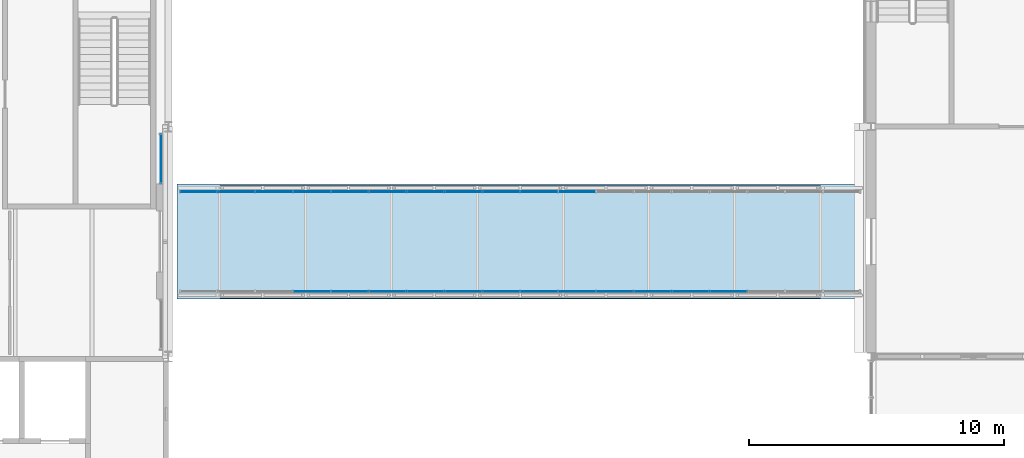
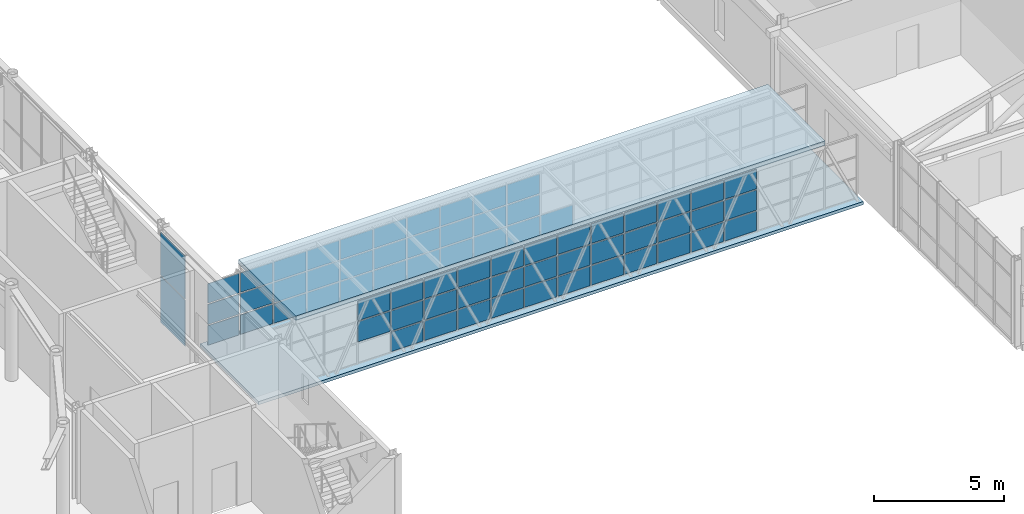
# One storey, part 83 of 149: 68 plates, 2 slabs, 3 elements without a shape of their own.
"""IFC4 building model written with IfcOpenShell, lengths in metres."""

import ifcopenshell
import ifcopenshell.guid

model = None  # the IFC model being written
_history = None  # IfcOwnerHistory: only IFC2X3 demands one
_inside = {}  # id of a spatial element -> (the spatial element, [elements in it])
_under = {}  # id of a project, library or spatial element -> (it, [spatial elements below it])
_declared = {}  # id of a project -> (the project, [libraries it declares])
_typed = {}  # id of a type object -> (the type object, [elements of that type])
_made_of = {}  # id of a material, layer set ... -> (it, [elements and type objects made of it])


def new_model(schema):
    """Start an empty IFC model of exactly this schema.

    Asked for "IFC4X3", IfcOpenShell would pick the latest addendum, in which some entities
    have other attributes; the version numbers below select the first issue.
    IFC2X3 requires an IfcOwnerHistory on every rooted entity: one is made here for all.
    """
    global model, _history
    if schema == "IFC4X3":
        model = ifcopenshell.file(schema_version=(4, 3, 0, 0))
    else:
        model = ifcopenshell.file(schema=schema)
    _inside.clear()
    _under.clear()
    _declared.clear()
    _typed.clear()
    _made_of.clear()
    _history = None
    if model.schema == "IFC2X3":
        org = make("IfcOrganization", Name="unknown")
        user = make(
            "IfcPersonAndOrganization",
            ThePerson=make("IfcPerson", FamilyName="unknown"),
            TheOrganization=org,
        )
        app = make(
            "IfcApplication",
            ApplicationDeveloper=org,
            Version="unknown",
            ApplicationFullName="unknown",
            ApplicationIdentifier="unknown",
        )
        _history = make(
            "IfcOwnerHistory",
            OwningUser=user,
            OwningApplication=app,
            ChangeAction="ADDED",
            CreationDate=0,
        )
    return model


def make(cls, **values):
    """One entity of the class cls with the attributes given. An attribute that is None is left unset."""
    return model.create_entity(
        cls, **{name: value for name, value in values.items() if value is not None}
    )


def rooted(cls, **values):
    """An entity with a GlobalId (a new one), such as an element, a storey or a relation."""
    return make(cls, GlobalId=ifcopenshell.guid.new(), OwnerHistory=_history, **values)


def si_unit(unit_type, name, prefix=None):
    """IfcSIUnit, for example si_unit("LENGTHUNIT", "METRE", prefix="MILLI")."""
    return make("IfcSIUnit", UnitType=unit_type, Prefix=prefix, Name=name)


def assignment(units):
    """IfcUnitAssignment: the units of a project."""
    return None if units is None else make("IfcUnitAssignment", Units=units)


def point(xyz):
    """IfcCartesianPoint."""
    return None if xyz is None else make("IfcCartesianPoint", Coordinates=xyz)


def direction(xyz):
    """IfcDirection."""
    return None if xyz is None else make("IfcDirection", DirectionRatios=xyz)


def frame(location, z_axis=None, x_axis=None):
    """IfcAxis2Placement3D, a coordinate frame: its origin and axes. An axis left out is left unset."""
    return make(
        "IfcAxis2Placement3D",
        Location=point(location),
        Axis=direction(z_axis),
        RefDirection=direction(x_axis),
    )


def frame_2d(location, x_axis=None):
    """IfcAxis2Placement2D, a coordinate frame in the plane: its origin and x axis."""
    return make(
        "IfcAxis2Placement2D", Location=point(location), RefDirection=direction(x_axis)
    )


def origin():
    """The frame at (0, 0, 0) with its axes left unset."""
    return frame((0.0, 0.0, 0.0))


def origin_2d():
    """The frame at (0, 0) in the plane with its x axis left unset."""
    return frame_2d((0.0, 0.0))


def place(relative_to, where):
    """IfcLocalPlacement: puts the frame where relative to a parent placement (None: the world)."""
    return make(
        "IfcLocalPlacement", PlacementRelTo=relative_to, RelativePlacement=where
    )


def context(
    kind, dimensions, precision=None, world=None, true_north=None, identifier=None
):
    """IfcGeometricRepresentationContext, for example the 3D "Model" context."""
    return make(
        "IfcGeometricRepresentationContext",
        ContextIdentifier=identifier,
        ContextType=kind,
        CoordinateSpaceDimension=dimensions,
        Precision=precision,
        WorldCoordinateSystem=world,
        TrueNorth=true_north,
    )


def subcontext(parent, identifier, kind, view, scale=None):
    """IfcGeometricRepresentationSubContext, for example "Body" below "Model"."""
    return make(
        "IfcGeometricRepresentationSubContext",
        ContextIdentifier=identifier,
        ContextType=kind,
        ParentContext=parent,
        TargetScale=scale,
        TargetView=view,
    )


def project(units=None, contexts=None):
    """IfcProject with its units and contexts."""
    return rooted(
        "IfcProject",
        Name="project",
        RepresentationContexts=contexts,
        UnitsInContext=assignment(units),
    )


def spatial(cls, under=None, at=None, **own):
    """A site, building, storey or space (cls), placed at a placement, below another one or the project."""
    s = rooted(cls, ObjectPlacement=at, **own)
    if under is not None:
        _under.setdefault(under.id(), (under, []))[1].append(s)
    return s


def polyline(points):
    """IfcPolyline through the points."""
    return make("IfcPolyline", Points=[point(p) for p in points])


def profile(cls, at=None, kind="AREA", **sizes):
    """A parametric profile (cls). Its sizes go by their IFC names, for example OverallWidth=200.0."""
    return make(cls, ProfileType=kind, Position=at, **sizes)


def rectangle(**sizes):
    """IfcRectangleProfileDef."""
    return profile("IfcRectangleProfileDef", **sizes)


def outline(outer, holes=None, kind="AREA"):
    """IfcArbitraryClosedProfileDef: a profile drawn as a closed curve; with holes, ...WithVoids."""
    if holes is None:
        return make("IfcArbitraryClosedProfileDef", ProfileType=kind, OuterCurve=outer)
    return make(
        "IfcArbitraryProfileDefWithVoids",
        ProfileType=kind,
        OuterCurve=outer,
        InnerCurves=holes,
    )


def extrude(swept, where, along, depth):
    """IfcExtrudedAreaSolid: the profile swept, set in the frame where, extruded along a direction by depth."""
    return make(
        "IfcExtrudedAreaSolid",
        SweptArea=swept,
        Position=where,
        ExtrudedDirection=direction(along),
        Depth=depth,
    )


def shape(context_of_items, identifier, shape_type, items):
    """IfcShapeRepresentation: the items that make up one representation, for example the "Body"."""
    return make(
        "IfcShapeRepresentation",
        ContextOfItems=context_of_items,
        RepresentationIdentifier=identifier,
        RepresentationType=shape_type,
        Items=items,
    )


def material(Name=None, Category=None):
    """IfcMaterial."""
    return make("IfcMaterial", Name=Name, Category=Category)


def layer(
    of_material, thickness, ventilated=None, Name=None, Category=None, Priority=None
):
    """IfcMaterialLayer: one layer of a wall or slab, of a material (None: an air gap)."""
    return make(
        "IfcMaterialLayer",
        Material=of_material,
        LayerThickness=thickness,
        IsVentilated=ventilated,
        Name=Name,
        Category=Category,
        Priority=Priority,
    )


def layer_set(layers, Name=None):
    """IfcMaterialLayerSet."""
    return make("IfcMaterialLayerSet", MaterialLayers=layers, LayerSetName=Name)


def made_of(thing, what):
    """Note that an element or type object is made of a material, layer set ...; save() writes the relation."""
    if what is not None:
        _made_of.setdefault(what.id(), (what, []))[1].append(thing)
    return thing


def type_object(cls, material=None, **own):
    """A type object (cls), such as IfcWallType, which elements share."""
    return made_of(rooted(cls, **own), material)


def element(
    cls,
    number,
    at=None,
    inside=None,
    cuts=None,
    type_object=None,
    material=None,
    context=None,
    identifier="Body",
    shape_type=None,
    held_by="IfcProductDefinitionShape",
    body=None,
    shapes=None,
    **own,
):
    """One element of the class cls, such as IfcWall. Its Tag is "e" and its number.

    at: its placement. inside: the storey or other place that contains it. cuts: it is an
    opening in that element (IfcRelVoidsElement). A single representation is given by context,
    identifier, shape_type and body (its items); several are given by shapes. held_by: the class
    of the entity that holds the representations. save() writes the other relations.
    """
    e = rooted(cls, Tag="e%d" % number, ObjectPlacement=at, **own)
    if body is not None:
        shapes = [shape(context, identifier, shape_type, body)]
    if shapes is not None:
        e.Representation = make(held_by, Representations=shapes)
    if inside is not None:
        _inside.setdefault(inside.id(), (inside, []))[1].append(e)
    if cuts is not None:
        rooted(
            "IfcRelVoidsElement", RelatingBuildingElement=cuts, RelatedOpeningElement=e
        )
    if type_object is not None:
        _typed.setdefault(type_object.id(), (type_object, []))[1].append(e)
    return made_of(e, material)


def aggregate(whole, parts):
    """IfcRelAggregates: a whole, such as a stair, and the parts it consists of."""
    return rooted("IfcRelAggregates", RelatingObject=whole, RelatedObjects=parts)


def save(model, path):
    """Write the relations noted so far, then the file.

    IfcRelAggregates (storeys below a building ...), IfcRelContainedInSpatialStructure (elements
    in a storey), IfcRelDefinesByType, IfcRelAssociatesMaterial and IfcRelDeclares: one each for
    every whole, place, type object, material and project.
    """
    for whole, parts in _under.values():
        aggregate(whole, parts)
    for where, things in _inside.values():
        rooted(
            "IfcRelContainedInSpatialStructure",
            RelatedElements=things,
            RelatingStructure=where,
        )
    for kind, things in _typed.values():
        rooted("IfcRelDefinesByType", RelatedObjects=things, RelatingType=kind)
    for what, things in _made_of.values():
        rooted("IfcRelAssociatesMaterial", RelatedObjects=things, RelatingMaterial=what)
    for by, libraries in _declared.values():
        rooted("IfcRelDeclares", RelatingContext=by, RelatedDefinitions=libraries)
    model.write(path)


model = new_model("IFC4")

# Units and contexts
model_context = context("Model", 3, precision=1e-05, world=origin(), true_north=direction((0.0, 1.0)))
body_context = subcontext(model_context, "Body", "Model", "MODEL_VIEW")
ifc_project = project(units=[si_unit("LENGTHUNIT", "METRE"), si_unit("AREAUNIT", "SQUARE_METRE"), si_unit("VOLUMEUNIT", "CUBIC_METRE"), si_unit("PLANEANGLEUNIT", "RADIAN"), si_unit("MASSUNIT", "GRAM", prefix="KILO")], contexts=[model_context])

# Site, building, storey
site_placement = place(None, origin())
site = spatial("IfcSite", under=ifc_project, at=site_placement, CompositionType="ELEMENT")
building_placement = place(site_placement, origin())
building = spatial("IfcBuilding", under=site, at=building_placement, Name="Kallimachos Central Library", CompositionType="ELEMENT")
storey_placement = place(building_placement, frame((0.0, 0.0, 9.89990234375)))
storey = spatial("IfcBuildingStorey", under=building, at=storey_placement, Name="L02", CompositionType="ELEMENT", Elevation=9.89990234375)

# Slabs
ifc_material_1 = material(Name="Composite slab C30/37 on steel deck", Category="concrete")
ifc_layer_1 = layer(ifc_material_1, 0.14990234375)
ifc_layer_set_1 = layer_set([ifc_layer_1], Name="Bridge deck slab 150")
slab_type_1 = type_object("IfcSlabType", Name="Bridge deck slab 150", PredefinedType="FLOOR", material=ifc_layer_set_1)
slab_1_placement = place(storey_placement, frame((0.0, 0.0, -0.14990234375)))
element("IfcSlab", 1, at=slab_1_placement, inside=storey, type_object=slab_type_1, Name="B-E deck", PredefinedType="FLOOR", context=body_context, shape_type="SweptSolid", body=[
    extrude(outline(polyline([(110.824951171875, 98.25), (137.699951171875, 98.25), (137.699951171875, 102.75), (110.824951171875, 102.75), (110.824951171875, 98.25)])), origin(), (0.0, 0.0, 1.0), 0.14990234375),
])
ifc_material_2 = material(Name="Composite slab C30/37 on steel deck", Category="concrete")
ifc_layer_2 = layer(ifc_material_2, 0.199951171875)
ifc_layer_set_2 = layer_set([ifc_layer_2], Name="Bridge roof slab 200")
slab_type_2 = type_object("IfcSlabType", Name="Bridge roof slab 200", PredefinedType="ROOF", material=ifc_layer_set_2)
slab_2_placement = place(storey_placement, frame((0.0, 0.0, 3.2001953125)))
element("IfcSlab", 2, at=slab_2_placement, inside=storey, type_object=slab_type_2, Name="B-E roof", PredefinedType="ROOF", context=body_context, shape_type="SweptSolid", body=[
    extrude(outline(polyline([(112.504638671875, 98.300048828125), (136.020263671875, 98.300048828125), (136.020263671875, 102.699951171875), (112.504638671875, 102.699951171875), (112.504638671875, 98.300048828125)])), origin(), (0.0, 0.0, 1.0), 0.199951171875),
])

# Curtain wall, plates
ifc_material_3 = material(Name="Anodised aluminium and laminated glass", Category="aluminium")
ifc_layer_3 = layer(ifc_material_3, 0.159912109375)
ifc_layer_set_3 = layer_set([ifc_layer_3], Name="Glass box curtain wall")
curtain_wall_type_1 = type_object("IfcCurtainWallType", Name="Glass box curtain wall", PredefinedType="NOTDEFINED", material=ifc_layer_set_3)
curtain_wall_1_placement = place(storey_placement, origin())
curtain_wall_1 = element("IfcCurtainWall", 3, at=curtain_wall_1_placement, inside=storey, type_object=curtain_wall_type_1, Name="Glass box curtain wall E L02", PredefinedType="NOTDEFINED")
ifc_material_4 = material(Name="Laminated glass", Category="glass")
ifc_layer_4 = layer(ifc_material_4, 0.028076171875)
ifc_layer_set_4 = layer_set([ifc_layer_4], Name="Laminated glass panel 28")
plate_type = type_object("IfcPlateType", Name="Laminated glass panel 28", PredefinedType="CURTAIN_PANEL", material=ifc_layer_set_4)
plate_1_placement = place(storey_placement, frame((110.199951171875, 103.75, 0.06005859375), z_axis=(0.0, 0.0, 1.0), x_axis=(0.0, 1.0, 0.0)))
plate_1 = element("IfcPlate", 4, at=plate_1_placement, type_object=plate_type, Name="CW18 panel 1.1", PredefinedType="CURTAIN_PANEL", context=body_context, shape_type="SweptSolid", body=[
    extrude(rectangle(XDim=1.8798828125, YDim=0.028076171875, at=origin_2d()), origin(), (0.0, 0.0, 1.0), 2.159912109375),
])
plate_2_placement = place(storey_placement, frame((110.199951171875, 103.75, 2.2802734375), z_axis=(0.0, 0.0, 1.0), x_axis=(0.0, 1.0, 0.0)))
plate_2 = element("IfcPlate", 5, at=plate_2_placement, type_object=plate_type, Name="CW18 panel 1.2", PredefinedType="CURTAIN_PANEL", context=body_context, shape_type="SweptSolid", body=[
    extrude(rectangle(XDim=1.8798828125, YDim=0.028076171875, at=origin_2d()), origin(), (0.0, 0.0, 1.0), 2.010009765625),
])
aggregate(curtain_wall_1, [plate_1, plate_2])

ifc_material_5 = material(Name="Aluminium and laminated glass", Category="aluminium")
curtain_wall_type_2 = type_object("IfcCurtainWallType", Name="Link glazed wall", PredefinedType="NOTDEFINED", material=ifc_material_5)
curtain_wall_2_placement = place(storey_placement, origin())
curtain_wall_2 = element("IfcCurtainWall", 6, at=curtain_wall_2_placement, inside=storey, type_object=curtain_wall_type_2, Name="V1 to V3 bridge glazed side", PredefinedType="NOTDEFINED")
plate_3_placement = place(storey_placement, frame((116.11181640625, 98.550048828125, 1.030029296875), z_axis=(0.0, 0.0, 1.0), x_axis=(1.0, 0.0, 0.0)))
plate_3 = element("IfcPlate", 7, at=plate_3_placement, type_object=plate_type, Name="CW74 panel 4.2", PredefinedType="CURTAIN_PANEL", context=body_context, shape_type="SweptSolid", body=[
    extrude(rectangle(XDim=1.421875, YDim=0.028076171875, at=origin_2d()), origin(), (0.0, 0.0, 1.0), 0.93994140625),
])
plate_4_placement = place(storey_placement, frame((116.11181640625, 98.550048828125, 2.0302734375), z_axis=(0.0, 0.0, 1.0), x_axis=(1.0, 0.0, 0.0)))
plate_4 = element("IfcPlate", 8, at=plate_4_placement, type_object=plate_type, Name="CW74 panel 4.3", PredefinedType="CURTAIN_PANEL", context=body_context, shape_type="SweptSolid", body=[
    extrude(rectangle(XDim=1.421875, YDim=0.028076171875, at=origin_2d()), origin(), (0.0, 0.0, 1.0), 0.909912109375),
])
plate_5_placement = place(storey_placement, frame((117.59375, 98.550048828125, 0.06005859375), z_axis=(0.0, 0.0, 1.0), x_axis=(1.0, 0.0, 0.0)))
plate_5 = element("IfcPlate", 9, at=plate_5_placement, type_object=plate_type, Name="CW74 panel 5.1", PredefinedType="CURTAIN_PANEL", context=body_context, shape_type="SweptSolid", body=[
    extrude(rectangle(XDim=1.421875, YDim=0.028076171875, at=origin_2d()), origin(), (0.0, 0.0, 1.0), 0.909912109375),
])
plate_6_placement = place(storey_placement, frame((117.59375, 98.550048828125, 1.030029296875), z_axis=(0.0, 0.0, 1.0), x_axis=(1.0, 0.0, 0.0)))
plate_6 = element("IfcPlate", 10, at=plate_6_placement, type_object=plate_type, Name="CW74 panel 5.2", PredefinedType="CURTAIN_PANEL", context=body_context, shape_type="SweptSolid", body=[
    extrude(rectangle(XDim=1.421875, YDim=0.028076171875, at=origin_2d()), origin(), (0.0, 0.0, 1.0), 0.93994140625),
])
plate_7_placement = place(storey_placement, frame((117.59375, 98.550048828125, 2.0302734375), z_axis=(0.0, 0.0, 1.0), x_axis=(1.0, 0.0, 0.0)))
plate_7 = element("IfcPlate", 11, at=plate_7_placement, type_object=plate_type, Name="CW74 panel 5.3", PredefinedType="CURTAIN_PANEL", context=body_context, shape_type="SweptSolid", body=[
    extrude(rectangle(XDim=1.421875, YDim=0.028076171875, at=origin_2d()), origin(), (0.0, 0.0, 1.0), 0.909912109375),
])
plate_8_placement = place(storey_placement, frame((119.07568359375, 98.550048828125, 0.06005859375), z_axis=(0.0, 0.0, 1.0), x_axis=(1.0, 0.0, 0.0)))
plate_8 = element("IfcPlate", 12, at=plate_8_placement, type_object=plate_type, Name="CW74 panel 6.1", PredefinedType="CURTAIN_PANEL", context=body_context, shape_type="SweptSolid", body=[
    extrude(rectangle(XDim=1.421875, YDim=0.028076171875, at=origin_2d()), origin(), (0.0, 0.0, 1.0), 0.909912109375),
])
plate_9_placement = place(storey_placement, frame((119.07568359375, 98.550048828125, 1.030029296875), z_axis=(0.0, 0.0, 1.0), x_axis=(1.0, 0.0, 0.0)))
plate_9 = element("IfcPlate", 13, at=plate_9_placement, type_object=plate_type, Name="CW74 panel 6.2", PredefinedType="CURTAIN_PANEL", context=body_context, shape_type="SweptSolid", body=[
    extrude(rectangle(XDim=1.421875, YDim=0.028076171875, at=origin_2d()), origin(), (0.0, 0.0, 1.0), 0.93994140625),
])
plate_10_placement = place(storey_placement, frame((119.07568359375, 98.550048828125, 2.0302734375), z_axis=(0.0, 0.0, 1.0), x_axis=(1.0, 0.0, 0.0)))
plate_10 = element("IfcPlate", 14, at=plate_10_placement, type_object=plate_type, Name="CW74 panel 6.3", PredefinedType="CURTAIN_PANEL", context=body_context, shape_type="SweptSolid", body=[
    extrude(rectangle(XDim=1.421875, YDim=0.028076171875, at=origin_2d()), origin(), (0.0, 0.0, 1.0), 0.909912109375),
])
plate_11_placement = place(storey_placement, frame((120.5576171875, 98.550048828125, 0.06005859375), z_axis=(0.0, 0.0, 1.0), x_axis=(1.0, 0.0, 0.0)))
plate_11 = element("IfcPlate", 15, at=plate_11_placement, type_object=plate_type, Name="CW74 panel 7.1", PredefinedType="CURTAIN_PANEL", context=body_context, shape_type="SweptSolid", body=[
    extrude(rectangle(XDim=1.421875, YDim=0.028076171875, at=origin_2d()), origin(), (0.0, 0.0, 1.0), 0.909912109375),
])
plate_12_placement = place(storey_placement, frame((120.5576171875, 98.550048828125, 1.030029296875), z_axis=(0.0, 0.0, 1.0), x_axis=(1.0, 0.0, 0.0)))
plate_12 = element("IfcPlate", 16, at=plate_12_placement, type_object=plate_type, Name="CW74 panel 7.2", PredefinedType="CURTAIN_PANEL", context=body_context, shape_type="SweptSolid", body=[
    extrude(rectangle(XDim=1.421875, YDim=0.028076171875, at=origin_2d()), origin(), (0.0, 0.0, 1.0), 0.93994140625),
])
plate_13_placement = place(storey_placement, frame((120.5576171875, 98.550048828125, 2.0302734375), z_axis=(0.0, 0.0, 1.0), x_axis=(1.0, 0.0, 0.0)))
plate_13 = element("IfcPlate", 17, at=plate_13_placement, type_object=plate_type, Name="CW74 panel 7.3", PredefinedType="CURTAIN_PANEL", context=body_context, shape_type="SweptSolid", body=[
    extrude(rectangle(XDim=1.421875, YDim=0.028076171875, at=origin_2d()), origin(), (0.0, 0.0, 1.0), 0.909912109375),
])
plate_14_placement = place(storey_placement, frame((122.03955078125, 98.550048828125, 0.06005859375), z_axis=(0.0, 0.0, 1.0), x_axis=(1.0, 0.0, 0.0)))
plate_14 = element("IfcPlate", 18, at=plate_14_placement, type_object=plate_type, Name="CW74 panel 8.1", PredefinedType="CURTAIN_PANEL", context=body_context, shape_type="SweptSolid", body=[
    extrude(rectangle(XDim=1.421875, YDim=0.028076171875, at=origin_2d()), origin(), (0.0, 0.0, 1.0), 0.909912109375),
])
plate_15_placement = place(storey_placement, frame((122.03955078125, 98.550048828125, 1.030029296875), z_axis=(0.0, 0.0, 1.0), x_axis=(1.0, 0.0, 0.0)))
plate_15 = element("IfcPlate", 19, at=plate_15_placement, type_object=plate_type, Name="CW74 panel 8.2", PredefinedType="CURTAIN_PANEL", context=body_context, shape_type="SweptSolid", body=[
    extrude(rectangle(XDim=1.421875, YDim=0.028076171875, at=origin_2d()), origin(), (0.0, 0.0, 1.0), 0.93994140625),
])
plate_16_placement = place(storey_placement, frame((122.03955078125, 98.550048828125, 2.0302734375), z_axis=(0.0, 0.0, 1.0), x_axis=(1.0, 0.0, 0.0)))
plate_16 = element("IfcPlate", 20, at=plate_16_placement, type_object=plate_type, Name="CW74 panel 8.3", PredefinedType="CURTAIN_PANEL", context=body_context, shape_type="SweptSolid", body=[
    extrude(rectangle(XDim=1.421875, YDim=0.028076171875, at=origin_2d()), origin(), (0.0, 0.0, 1.0), 0.909912109375),
])
plate_17_placement = place(storey_placement, frame((123.521484375, 98.550048828125, 0.06005859375), z_axis=(0.0, 0.0, 1.0), x_axis=(1.0, 0.0, 0.0)))
plate_17 = element("IfcPlate", 21, at=plate_17_placement, type_object=plate_type, Name="CW74 panel 9.1", PredefinedType="CURTAIN_PANEL", context=body_context, shape_type="SweptSolid", body=[
    extrude(rectangle(XDim=1.421875, YDim=0.028076171875, at=origin_2d()), origin(), (0.0, 0.0, 1.0), 0.909912109375),
])
plate_18_placement = place(storey_placement, frame((123.521484375, 98.550048828125, 1.030029296875), z_axis=(0.0, 0.0, 1.0), x_axis=(1.0, 0.0, 0.0)))
plate_18 = element("IfcPlate", 22, at=plate_18_placement, type_object=plate_type, Name="CW74 panel 9.2", PredefinedType="CURTAIN_PANEL", context=body_context, shape_type="SweptSolid", body=[
    extrude(rectangle(XDim=1.421875, YDim=0.028076171875, at=origin_2d()), origin(), (0.0, 0.0, 1.0), 0.93994140625),
])
plate_19_placement = place(storey_placement, frame((123.521484375, 98.550048828125, 2.0302734375), z_axis=(0.0, 0.0, 1.0), x_axis=(1.0, 0.0, 0.0)))
plate_19 = element("IfcPlate", 23, at=plate_19_placement, type_object=plate_type, Name="CW74 panel 9.3", PredefinedType="CURTAIN_PANEL", context=body_context, shape_type="SweptSolid", body=[
    extrude(rectangle(XDim=1.421875, YDim=0.028076171875, at=origin_2d()), origin(), (0.0, 0.0, 1.0), 0.909912109375),
])
plate_20_placement = place(storey_placement, frame((125.00341796875, 98.550048828125, 0.06005859375), z_axis=(0.0, 0.0, 1.0), x_axis=(1.0, 0.0, 0.0)))
plate_20 = element("IfcPlate", 24, at=plate_20_placement, type_object=plate_type, Name="CW74 panel 10.1", PredefinedType="CURTAIN_PANEL", context=body_context, shape_type="SweptSolid", body=[
    extrude(rectangle(XDim=1.421875, YDim=0.028076171875, at=origin_2d()), origin(), (0.0, 0.0, 1.0), 0.909912109375),
])
plate_21_placement = place(storey_placement, frame((125.00341796875, 98.550048828125, 1.030029296875), z_axis=(0.0, 0.0, 1.0), x_axis=(1.0, 0.0, 0.0)))
plate_21 = element("IfcPlate", 25, at=plate_21_placement, type_object=plate_type, Name="CW74 panel 10.2", PredefinedType="CURTAIN_PANEL", context=body_context, shape_type="SweptSolid", body=[
    extrude(rectangle(XDim=1.421875, YDim=0.028076171875, at=origin_2d()), origin(), (0.0, 0.0, 1.0), 0.93994140625),
])
plate_22_placement = place(storey_placement, frame((125.00341796875, 98.550048828125, 2.0302734375), z_axis=(0.0, 0.0, 1.0), x_axis=(1.0, 0.0, 0.0)))
plate_22 = element("IfcPlate", 26, at=plate_22_placement, type_object=plate_type, Name="CW74 panel 10.3", PredefinedType="CURTAIN_PANEL", context=body_context, shape_type="SweptSolid", body=[
    extrude(rectangle(XDim=1.421875, YDim=0.028076171875, at=origin_2d()), origin(), (0.0, 0.0, 1.0), 0.909912109375),
])
plate_23_placement = place(storey_placement, frame((126.4853515625, 98.550048828125, 0.06005859375), z_axis=(0.0, 0.0, 1.0), x_axis=(1.0, 0.0, 0.0)))
plate_23 = element("IfcPlate", 27, at=plate_23_placement, type_object=plate_type, Name="CW74 panel 11.1", PredefinedType="CURTAIN_PANEL", context=body_context, shape_type="SweptSolid", body=[
    extrude(rectangle(XDim=1.421875, YDim=0.028076171875, at=origin_2d()), origin(), (0.0, 0.0, 1.0), 0.909912109375),
])
plate_24_placement = place(storey_placement, frame((126.4853515625, 98.550048828125, 1.030029296875), z_axis=(0.0, 0.0, 1.0), x_axis=(1.0, 0.0, 0.0)))
plate_24 = element("IfcPlate", 28, at=plate_24_placement, type_object=plate_type, Name="CW74 panel 11.2", PredefinedType="CURTAIN_PANEL", context=body_context, shape_type="SweptSolid", body=[
    extrude(rectangle(XDim=1.421875, YDim=0.028076171875, at=origin_2d()), origin(), (0.0, 0.0, 1.0), 0.93994140625),
])
plate_25_placement = place(storey_placement, frame((126.4853515625, 98.550048828125, 2.0302734375), z_axis=(0.0, 0.0, 1.0), x_axis=(1.0, 0.0, 0.0)))
plate_25 = element("IfcPlate", 29, at=plate_25_placement, type_object=plate_type, Name="CW74 panel 11.3", PredefinedType="CURTAIN_PANEL", context=body_context, shape_type="SweptSolid", body=[
    extrude(rectangle(XDim=1.421875, YDim=0.028076171875, at=origin_2d()), origin(), (0.0, 0.0, 1.0), 0.909912109375),
])
plate_26_placement = place(storey_placement, frame((127.96728515625, 98.550048828125, 0.06005859375), z_axis=(0.0, 0.0, 1.0), x_axis=(1.0, 0.0, 0.0)))
plate_26 = element("IfcPlate", 30, at=plate_26_placement, type_object=plate_type, Name="CW74 panel 12.1", PredefinedType="CURTAIN_PANEL", context=body_context, shape_type="SweptSolid", body=[
    extrude(rectangle(XDim=1.421875, YDim=0.028076171875, at=origin_2d()), origin(), (0.0, 0.0, 1.0), 0.909912109375),
])
plate_27_placement = place(storey_placement, frame((127.96728515625, 98.550048828125, 1.030029296875), z_axis=(0.0, 0.0, 1.0), x_axis=(1.0, 0.0, 0.0)))
plate_27 = element("IfcPlate", 31, at=plate_27_placement, type_object=plate_type, Name="CW74 panel 12.2", PredefinedType="CURTAIN_PANEL", context=body_context, shape_type="SweptSolid", body=[
    extrude(rectangle(XDim=1.421875, YDim=0.028076171875, at=origin_2d()), origin(), (0.0, 0.0, 1.0), 0.93994140625),
])
plate_28_placement = place(storey_placement, frame((127.96728515625, 98.550048828125, 2.0302734375), z_axis=(0.0, 0.0, 1.0), x_axis=(1.0, 0.0, 0.0)))
plate_28 = element("IfcPlate", 32, at=plate_28_placement, type_object=plate_type, Name="CW74 panel 12.3", PredefinedType="CURTAIN_PANEL", context=body_context, shape_type="SweptSolid", body=[
    extrude(rectangle(XDim=1.421875, YDim=0.028076171875, at=origin_2d()), origin(), (0.0, 0.0, 1.0), 0.909912109375),
])
plate_29_placement = place(storey_placement, frame((129.44921875, 98.550048828125, 0.06005859375), z_axis=(0.0, 0.0, 1.0), x_axis=(1.0, 0.0, 0.0)))
plate_29 = element("IfcPlate", 33, at=plate_29_placement, type_object=plate_type, Name="CW74 panel 13.1", PredefinedType="CURTAIN_PANEL", context=body_context, shape_type="SweptSolid", body=[
    extrude(rectangle(XDim=1.421875, YDim=0.028076171875, at=origin_2d()), origin(), (0.0, 0.0, 1.0), 0.909912109375),
])
plate_30_placement = place(storey_placement, frame((129.44921875, 98.550048828125, 1.030029296875), z_axis=(0.0, 0.0, 1.0), x_axis=(1.0, 0.0, 0.0)))
plate_30 = element("IfcPlate", 34, at=plate_30_placement, type_object=plate_type, Name="CW74 panel 13.2", PredefinedType="CURTAIN_PANEL", context=body_context, shape_type="SweptSolid", body=[
    extrude(rectangle(XDim=1.421875, YDim=0.028076171875, at=origin_2d()), origin(), (0.0, 0.0, 1.0), 0.93994140625),
])
plate_31_placement = place(storey_placement, frame((129.44921875, 98.550048828125, 2.0302734375), z_axis=(0.0, 0.0, 1.0), x_axis=(1.0, 0.0, 0.0)))
plate_31 = element("IfcPlate", 35, at=plate_31_placement, type_object=plate_type, Name="CW74 panel 13.3", PredefinedType="CURTAIN_PANEL", context=body_context, shape_type="SweptSolid", body=[
    extrude(rectangle(XDim=1.421875, YDim=0.028076171875, at=origin_2d()), origin(), (0.0, 0.0, 1.0), 0.909912109375),
])
plate_32_placement = place(storey_placement, frame((130.93115234375, 98.550048828125, 0.06005859375), z_axis=(0.0, 0.0, 1.0), x_axis=(1.0, 0.0, 0.0)))
plate_32 = element("IfcPlate", 36, at=plate_32_placement, type_object=plate_type, Name="CW74 panel 14.1", PredefinedType="CURTAIN_PANEL", context=body_context, shape_type="SweptSolid", body=[
    extrude(rectangle(XDim=1.421875, YDim=0.028076171875, at=origin_2d()), origin(), (0.0, 0.0, 1.0), 0.909912109375),
])
plate_33_placement = place(storey_placement, frame((130.93115234375, 98.550048828125, 1.030029296875), z_axis=(0.0, 0.0, 1.0), x_axis=(1.0, 0.0, 0.0)))
plate_33 = element("IfcPlate", 37, at=plate_33_placement, type_object=plate_type, Name="CW74 panel 14.2", PredefinedType="CURTAIN_PANEL", context=body_context, shape_type="SweptSolid", body=[
    extrude(rectangle(XDim=1.421875, YDim=0.028076171875, at=origin_2d()), origin(), (0.0, 0.0, 1.0), 0.93994140625),
])
plate_34_placement = place(storey_placement, frame((130.93115234375, 98.550048828125, 2.0302734375), z_axis=(0.0, 0.0, 1.0), x_axis=(1.0, 0.0, 0.0)))
plate_34 = element("IfcPlate", 38, at=plate_34_placement, type_object=plate_type, Name="CW74 panel 14.3", PredefinedType="CURTAIN_PANEL", context=body_context, shape_type="SweptSolid", body=[
    extrude(rectangle(XDim=1.421875, YDim=0.028076171875, at=origin_2d()), origin(), (0.0, 0.0, 1.0), 0.909912109375),
])
plate_35_placement = place(storey_placement, frame((132.4130859375, 98.550048828125, 0.06005859375), z_axis=(0.0, 0.0, 1.0), x_axis=(1.0, 0.0, 0.0)))
plate_35 = element("IfcPlate", 39, at=plate_35_placement, type_object=plate_type, Name="CW74 panel 15.1", PredefinedType="CURTAIN_PANEL", context=body_context, shape_type="SweptSolid", body=[
    extrude(rectangle(XDim=1.421875, YDim=0.028076171875, at=origin_2d()), origin(), (0.0, 0.0, 1.0), 0.909912109375),
])
plate_36_placement = place(storey_placement, frame((132.4130859375, 98.550048828125, 1.030029296875), z_axis=(0.0, 0.0, 1.0), x_axis=(1.0, 0.0, 0.0)))
plate_36 = element("IfcPlate", 40, at=plate_36_placement, type_object=plate_type, Name="CW74 panel 15.2", PredefinedType="CURTAIN_PANEL", context=body_context, shape_type="SweptSolid", body=[
    extrude(rectangle(XDim=1.421875, YDim=0.028076171875, at=origin_2d()), origin(), (0.0, 0.0, 1.0), 0.93994140625),
])
plate_37_placement = place(storey_placement, frame((132.4130859375, 98.550048828125, 2.0302734375), z_axis=(0.0, 0.0, 1.0), x_axis=(1.0, 0.0, 0.0)))
plate_37 = element("IfcPlate", 41, at=plate_37_placement, type_object=plate_type, Name="CW74 panel 15.3", PredefinedType="CURTAIN_PANEL", context=body_context, shape_type="SweptSolid", body=[
    extrude(rectangle(XDim=1.421875, YDim=0.028076171875, at=origin_2d()), origin(), (0.0, 0.0, 1.0), 0.909912109375),
])
aggregate(curtain_wall_2, [plate_3, plate_4, plate_5, plate_6, plate_7, plate_8, plate_9, plate_10, plate_11, plate_12, plate_13, plate_14, plate_15, plate_16, plate_17, plate_18, plate_19, plate_20, plate_21, plate_22, plate_23, plate_24, plate_25, plate_26, plate_27, plate_28, plate_29, plate_30, plate_31, plate_32, plate_33, plate_34, plate_35, plate_36, plate_37])

curtain_wall_3_placement = place(storey_placement, origin())
curtain_wall_3 = element("IfcCurtainWall", 42, at=curtain_wall_3_placement, inside=storey, type_object=curtain_wall_type_2, Name="V1 to V3 bridge glazed side", PredefinedType="NOTDEFINED")
plate_38_placement = place(storey_placement, frame((111.680908203125, 102.449951171875, 0.06005859375), z_axis=(0.0, 0.0, 1.0), x_axis=(1.0, 0.0, 0.0)))
plate_38 = element("IfcPlate", 43, at=plate_38_placement, type_object=plate_type, Name="CW75 panel 1.1", PredefinedType="CURTAIN_PANEL", context=body_context, shape_type="SweptSolid", body=[
    extrude(rectangle(XDim=1.391845703125, YDim=0.028076171875, at=origin_2d()), origin(), (0.0, 0.0, 1.0), 0.909912109375),
])
plate_39_placement = place(storey_placement, frame((111.680908203125, 102.449951171875, 1.030029296875), z_axis=(0.0, 0.0, 1.0), x_axis=(1.0, 0.0, 0.0)))
plate_39 = element("IfcPlate", 44, at=plate_39_placement, type_object=plate_type, Name="CW75 panel 1.2", PredefinedType="CURTAIN_PANEL", context=body_context, shape_type="SweptSolid", body=[
    extrude(rectangle(XDim=1.391845703125, YDim=0.028076171875, at=origin_2d()), origin(), (0.0, 0.0, 1.0), 0.93994140625),
])
plate_40_placement = place(storey_placement, frame((111.680908203125, 102.449951171875, 2.0302734375), z_axis=(0.0, 0.0, 1.0), x_axis=(1.0, 0.0, 0.0)))
plate_40 = element("IfcPlate", 45, at=plate_40_placement, type_object=plate_type, Name="CW75 panel 1.3", PredefinedType="CURTAIN_PANEL", context=body_context, shape_type="SweptSolid", body=[
    extrude(rectangle(XDim=1.391845703125, YDim=0.028076171875, at=origin_2d()), origin(), (0.0, 0.0, 1.0), 0.909912109375),
])
plate_41_placement = place(storey_placement, frame((113.14794921875, 102.449951171875, 0.06005859375), z_axis=(0.0, 0.0, 1.0), x_axis=(1.0, 0.0, 0.0)))
plate_41 = element("IfcPlate", 46, at=plate_41_placement, type_object=plate_type, Name="CW75 panel 2.1", PredefinedType="CURTAIN_PANEL", context=body_context, shape_type="SweptSolid", body=[
    extrude(rectangle(XDim=1.421875, YDim=0.028076171875, at=origin_2d()), origin(), (0.0, 0.0, 1.0), 0.909912109375),
])
plate_42_placement = place(storey_placement, frame((113.14794921875, 102.449951171875, 1.030029296875), z_axis=(0.0, 0.0, 1.0), x_axis=(1.0, 0.0, 0.0)))
plate_42 = element("IfcPlate", 47, at=plate_42_placement, type_object=plate_type, Name="CW75 panel 2.2", PredefinedType="CURTAIN_PANEL", context=body_context, shape_type="SweptSolid", body=[
    extrude(rectangle(XDim=1.421875, YDim=0.028076171875, at=origin_2d()), origin(), (0.0, 0.0, 1.0), 0.93994140625),
])
plate_43_placement = place(storey_placement, frame((113.14794921875, 102.449951171875, 2.0302734375), z_axis=(0.0, 0.0, 1.0), x_axis=(1.0, 0.0, 0.0)))
plate_43 = element("IfcPlate", 48, at=plate_43_placement, type_object=plate_type, Name="CW75 panel 2.3", PredefinedType="CURTAIN_PANEL", context=body_context, shape_type="SweptSolid", body=[
    extrude(rectangle(XDim=1.421875, YDim=0.028076171875, at=origin_2d()), origin(), (0.0, 0.0, 1.0), 0.909912109375),
])
plate_44_placement = place(storey_placement, frame((114.6298828125, 102.449951171875, 0.06005859375), z_axis=(0.0, 0.0, 1.0), x_axis=(1.0, 0.0, 0.0)))
plate_44 = element("IfcPlate", 49, at=plate_44_placement, type_object=plate_type, Name="CW75 panel 3.1", PredefinedType="CURTAIN_PANEL", context=body_context, shape_type="SweptSolid", body=[
    extrude(rectangle(XDim=1.421875, YDim=0.028076171875, at=origin_2d()), origin(), (0.0, 0.0, 1.0), 0.909912109375),
])
plate_45_placement = place(storey_placement, frame((114.6298828125, 102.449951171875, 1.030029296875), z_axis=(0.0, 0.0, 1.0), x_axis=(1.0, 0.0, 0.0)))
plate_45 = element("IfcPlate", 50, at=plate_45_placement, type_object=plate_type, Name="CW75 panel 3.2", PredefinedType="CURTAIN_PANEL", context=body_context, shape_type="SweptSolid", body=[
    extrude(rectangle(XDim=1.421875, YDim=0.028076171875, at=origin_2d()), origin(), (0.0, 0.0, 1.0), 0.93994140625),
])
plate_46_placement = place(storey_placement, frame((114.6298828125, 102.449951171875, 2.0302734375), z_axis=(0.0, 0.0, 1.0), x_axis=(1.0, 0.0, 0.0)))
plate_46 = element("IfcPlate", 51, at=plate_46_placement, type_object=plate_type, Name="CW75 panel 3.3", PredefinedType="CURTAIN_PANEL", context=body_context, shape_type="SweptSolid", body=[
    extrude(rectangle(XDim=1.421875, YDim=0.028076171875, at=origin_2d()), origin(), (0.0, 0.0, 1.0), 0.909912109375),
])
plate_47_placement = place(storey_placement, frame((116.11181640625, 102.449951171875, 0.06005859375), z_axis=(0.0, 0.0, 1.0), x_axis=(1.0, 0.0, 0.0)))
plate_47 = element("IfcPlate", 52, at=plate_47_placement, type_object=plate_type, Name="CW75 panel 4.1", PredefinedType="CURTAIN_PANEL", context=body_context, shape_type="SweptSolid", body=[
    extrude(rectangle(XDim=1.421875, YDim=0.028076171875, at=origin_2d()), origin(), (0.0, 0.0, 1.0), 0.909912109375),
])
plate_48_placement = place(storey_placement, frame((116.11181640625, 102.449951171875, 1.030029296875), z_axis=(0.0, 0.0, 1.0), x_axis=(1.0, 0.0, 0.0)))
plate_48 = element("IfcPlate", 53, at=plate_48_placement, type_object=plate_type, Name="CW75 panel 4.2", PredefinedType="CURTAIN_PANEL", context=body_context, shape_type="SweptSolid", body=[
    extrude(rectangle(XDim=1.421875, YDim=0.028076171875, at=origin_2d()), origin(), (0.0, 0.0, 1.0), 0.93994140625),
])
plate_49_placement = place(storey_placement, frame((116.11181640625, 102.449951171875, 2.0302734375), z_axis=(0.0, 0.0, 1.0), x_axis=(1.0, 0.0, 0.0)))
plate_49 = element("IfcPlate", 54, at=plate_49_placement, type_object=plate_type, Name="CW75 panel 4.3", PredefinedType="CURTAIN_PANEL", context=body_context, shape_type="SweptSolid", body=[
    extrude(rectangle(XDim=1.421875, YDim=0.028076171875, at=origin_2d()), origin(), (0.0, 0.0, 1.0), 0.909912109375),
])
plate_50_placement = place(storey_placement, frame((117.59375, 102.449951171875, 0.06005859375), z_axis=(0.0, 0.0, 1.0), x_axis=(1.0, 0.0, 0.0)))
plate_50 = element("IfcPlate", 55, at=plate_50_placement, type_object=plate_type, Name="CW75 panel 5.1", PredefinedType="CURTAIN_PANEL", context=body_context, shape_type="SweptSolid", body=[
    extrude(rectangle(XDim=1.421875, YDim=0.028076171875, at=origin_2d()), origin(), (0.0, 0.0, 1.0), 0.909912109375),
])
plate_51_placement = place(storey_placement, frame((117.59375, 102.449951171875, 1.030029296875), z_axis=(0.0, 0.0, 1.0), x_axis=(1.0, 0.0, 0.0)))
plate_51 = element("IfcPlate", 56, at=plate_51_placement, type_object=plate_type, Name="CW75 panel 5.2", PredefinedType="CURTAIN_PANEL", context=body_context, shape_type="SweptSolid", body=[
    extrude(rectangle(XDim=1.421875, YDim=0.028076171875, at=origin_2d()), origin(), (0.0, 0.0, 1.0), 0.93994140625),
])
plate_52_placement = place(storey_placement, frame((117.59375, 102.449951171875, 2.0302734375), z_axis=(0.0, 0.0, 1.0), x_axis=(1.0, 0.0, 0.0)))
plate_52 = element("IfcPlate", 57, at=plate_52_placement, type_object=plate_type, Name="CW75 panel 5.3", PredefinedType="CURTAIN_PANEL", context=body_context, shape_type="SweptSolid", body=[
    extrude(rectangle(XDim=1.421875, YDim=0.028076171875, at=origin_2d()), origin(), (0.0, 0.0, 1.0), 0.909912109375),
])
plate_53_placement = place(storey_placement, frame((119.07568359375, 102.449951171875, 0.06005859375), z_axis=(0.0, 0.0, 1.0), x_axis=(1.0, 0.0, 0.0)))
plate_53 = element("IfcPlate", 58, at=plate_53_placement, type_object=plate_type, Name="CW75 panel 6.1", PredefinedType="CURTAIN_PANEL", context=body_context, shape_type="SweptSolid", body=[
    extrude(rectangle(XDim=1.421875, YDim=0.028076171875, at=origin_2d()), origin(), (0.0, 0.0, 1.0), 0.909912109375),
])
plate_54_placement = place(storey_placement, frame((119.07568359375, 102.449951171875, 1.030029296875), z_axis=(0.0, 0.0, 1.0), x_axis=(1.0, 0.0, 0.0)))
plate_54 = element("IfcPlate", 59, at=plate_54_placement, type_object=plate_type, Name="CW75 panel 6.2", PredefinedType="CURTAIN_PANEL", context=body_context, shape_type="SweptSolid", body=[
    extrude(rectangle(XDim=1.421875, YDim=0.028076171875, at=origin_2d()), origin(), (0.0, 0.0, 1.0), 0.93994140625),
])
plate_55_placement = place(storey_placement, frame((119.07568359375, 102.449951171875, 2.0302734375), z_axis=(0.0, 0.0, 1.0), x_axis=(1.0, 0.0, 0.0)))
plate_55 = element("IfcPlate", 60, at=plate_55_placement, type_object=plate_type, Name="CW75 panel 6.3", PredefinedType="CURTAIN_PANEL", context=body_context, shape_type="SweptSolid", body=[
    extrude(rectangle(XDim=1.421875, YDim=0.028076171875, at=origin_2d()), origin(), (0.0, 0.0, 1.0), 0.909912109375),
])
plate_56_placement = place(storey_placement, frame((120.5576171875, 102.449951171875, 0.06005859375), z_axis=(0.0, 0.0, 1.0), x_axis=(1.0, 0.0, 0.0)))
plate_56 = element("IfcPlate", 61, at=plate_56_placement, type_object=plate_type, Name="CW75 panel 7.1", PredefinedType="CURTAIN_PANEL", context=body_context, shape_type="SweptSolid", body=[
    extrude(rectangle(XDim=1.421875, YDim=0.028076171875, at=origin_2d()), origin(), (0.0, 0.0, 1.0), 0.909912109375),
])
plate_57_placement = place(storey_placement, frame((120.5576171875, 102.449951171875, 1.030029296875), z_axis=(0.0, 0.0, 1.0), x_axis=(1.0, 0.0, 0.0)))
plate_57 = element("IfcPlate", 62, at=plate_57_placement, type_object=plate_type, Name="CW75 panel 7.2", PredefinedType="CURTAIN_PANEL", context=body_context, shape_type="SweptSolid", body=[
    extrude(rectangle(XDim=1.421875, YDim=0.028076171875, at=origin_2d()), origin(), (0.0, 0.0, 1.0), 0.93994140625),
])
plate_58_placement = place(storey_placement, frame((120.5576171875, 102.449951171875, 2.0302734375), z_axis=(0.0, 0.0, 1.0), x_axis=(1.0, 0.0, 0.0)))
plate_58 = element("IfcPlate", 63, at=plate_58_placement, type_object=plate_type, Name="CW75 panel 7.3", PredefinedType="CURTAIN_PANEL", context=body_context, shape_type="SweptSolid", body=[
    extrude(rectangle(XDim=1.421875, YDim=0.028076171875, at=origin_2d()), origin(), (0.0, 0.0, 1.0), 0.909912109375),
])
plate_59_placement = place(storey_placement, frame((122.03955078125, 102.449951171875, 0.06005859375), z_axis=(0.0, 0.0, 1.0), x_axis=(1.0, 0.0, 0.0)))
plate_59 = element("IfcPlate", 64, at=plate_59_placement, type_object=plate_type, Name="CW75 panel 8.1", PredefinedType="CURTAIN_PANEL", context=body_context, shape_type="SweptSolid", body=[
    extrude(rectangle(XDim=1.421875, YDim=0.028076171875, at=origin_2d()), origin(), (0.0, 0.0, 1.0), 0.909912109375),
])
plate_60_placement = place(storey_placement, frame((122.03955078125, 102.449951171875, 1.030029296875), z_axis=(0.0, 0.0, 1.0), x_axis=(1.0, 0.0, 0.0)))
plate_60 = element("IfcPlate", 65, at=plate_60_placement, type_object=plate_type, Name="CW75 panel 8.2", PredefinedType="CURTAIN_PANEL", context=body_context, shape_type="SweptSolid", body=[
    extrude(rectangle(XDim=1.421875, YDim=0.028076171875, at=origin_2d()), origin(), (0.0, 0.0, 1.0), 0.93994140625),
])
plate_61_placement = place(storey_placement, frame((122.03955078125, 102.449951171875, 2.0302734375), z_axis=(0.0, 0.0, 1.0), x_axis=(1.0, 0.0, 0.0)))
plate_61 = element("IfcPlate", 66, at=plate_61_placement, type_object=plate_type, Name="CW75 panel 8.3", PredefinedType="CURTAIN_PANEL", context=body_context, shape_type="SweptSolid", body=[
    extrude(rectangle(XDim=1.421875, YDim=0.028076171875, at=origin_2d()), origin(), (0.0, 0.0, 1.0), 0.909912109375),
])
plate_62_placement = place(storey_placement, frame((123.521484375, 102.449951171875, 0.06005859375), z_axis=(0.0, 0.0, 1.0), x_axis=(1.0, 0.0, 0.0)))
plate_62 = element("IfcPlate", 67, at=plate_62_placement, type_object=plate_type, Name="CW75 panel 9.1", PredefinedType="CURTAIN_PANEL", context=body_context, shape_type="SweptSolid", body=[
    extrude(rectangle(XDim=1.421875, YDim=0.028076171875, at=origin_2d()), origin(), (0.0, 0.0, 1.0), 0.909912109375),
])
plate_63_placement = place(storey_placement, frame((123.521484375, 102.449951171875, 1.030029296875), z_axis=(0.0, 0.0, 1.0), x_axis=(1.0, 0.0, 0.0)))
plate_63 = element("IfcPlate", 68, at=plate_63_placement, type_object=plate_type, Name="CW75 panel 9.2", PredefinedType="CURTAIN_PANEL", context=body_context, shape_type="SweptSolid", body=[
    extrude(rectangle(XDim=1.421875, YDim=0.028076171875, at=origin_2d()), origin(), (0.0, 0.0, 1.0), 0.93994140625),
])
plate_64_placement = place(storey_placement, frame((123.521484375, 102.449951171875, 2.0302734375), z_axis=(0.0, 0.0, 1.0), x_axis=(1.0, 0.0, 0.0)))
plate_64 = element("IfcPlate", 69, at=plate_64_placement, type_object=plate_type, Name="CW75 panel 9.3", PredefinedType="CURTAIN_PANEL", context=body_context, shape_type="SweptSolid", body=[
    extrude(rectangle(XDim=1.421875, YDim=0.028076171875, at=origin_2d()), origin(), (0.0, 0.0, 1.0), 0.909912109375),
])
plate_65_placement = place(storey_placement, frame((125.00341796875, 102.449951171875, 0.06005859375), z_axis=(0.0, 0.0, 1.0), x_axis=(1.0, 0.0, 0.0)))
plate_65 = element("IfcPlate", 70, at=plate_65_placement, type_object=plate_type, Name="CW75 panel 10.1", PredefinedType="CURTAIN_PANEL", context=body_context, shape_type="SweptSolid", body=[
    extrude(rectangle(XDim=1.421875, YDim=0.028076171875, at=origin_2d()), origin(), (0.0, 0.0, 1.0), 0.909912109375),
])
plate_66_placement = place(storey_placement, frame((125.00341796875, 102.449951171875, 1.030029296875), z_axis=(0.0, 0.0, 1.0), x_axis=(1.0, 0.0, 0.0)))
plate_66 = element("IfcPlate", 71, at=plate_66_placement, type_object=plate_type, Name="CW75 panel 10.2", PredefinedType="CURTAIN_PANEL", context=body_context, shape_type="SweptSolid", body=[
    extrude(rectangle(XDim=1.421875, YDim=0.028076171875, at=origin_2d()), origin(), (0.0, 0.0, 1.0), 0.93994140625),
])
plate_67_placement = place(storey_placement, frame((125.00341796875, 102.449951171875, 2.0302734375), z_axis=(0.0, 0.0, 1.0), x_axis=(1.0, 0.0, 0.0)))
plate_67 = element("IfcPlate", 72, at=plate_67_placement, type_object=plate_type, Name="CW75 panel 10.3", PredefinedType="CURTAIN_PANEL", context=body_context, shape_type="SweptSolid", body=[
    extrude(rectangle(XDim=1.421875, YDim=0.028076171875, at=origin_2d()), origin(), (0.0, 0.0, 1.0), 0.909912109375),
])
plate_68_placement = place(storey_placement, frame((126.4853515625, 102.449951171875, 0.06005859375), z_axis=(0.0, 0.0, 1.0), x_axis=(1.0, 0.0, 0.0)))
plate_68 = element("IfcPlate", 73, at=plate_68_placement, type_object=plate_type, Name="CW75 panel 11.1", PredefinedType="CURTAIN_PANEL", context=body_context, shape_type="SweptSolid", body=[
    extrude(rectangle(XDim=1.421875, YDim=0.028076171875, at=origin_2d()), origin(), (0.0, 0.0, 1.0), 0.909912109375),
])
aggregate(curtain_wall_3, [plate_38, plate_39, plate_40, plate_41, plate_42, plate_43, plate_44, plate_45, plate_46, plate_47, plate_48, plate_49, plate_50, plate_51, plate_52, plate_53, plate_54, plate_55, plate_56, plate_57, plate_58, plate_59, plate_60, plate_61, plate_62, plate_63, plate_64, plate_65, plate_66, plate_67, plate_68])

save(model, "model.ifc")
